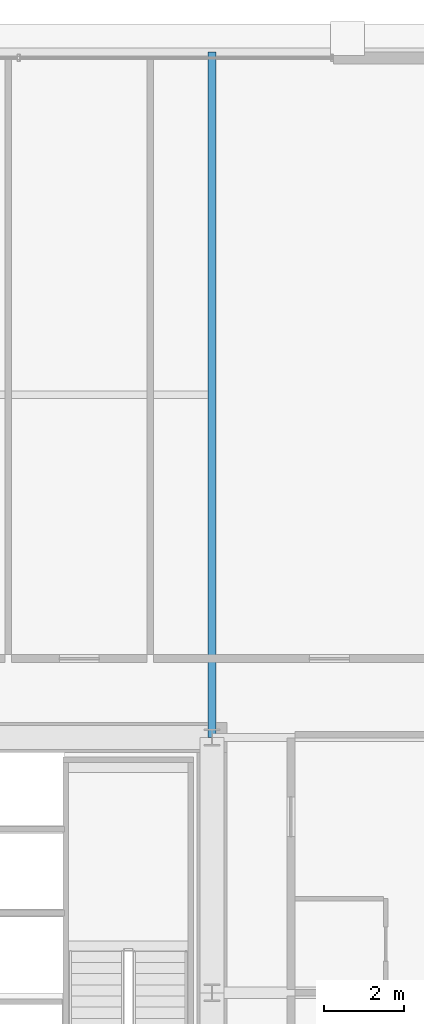
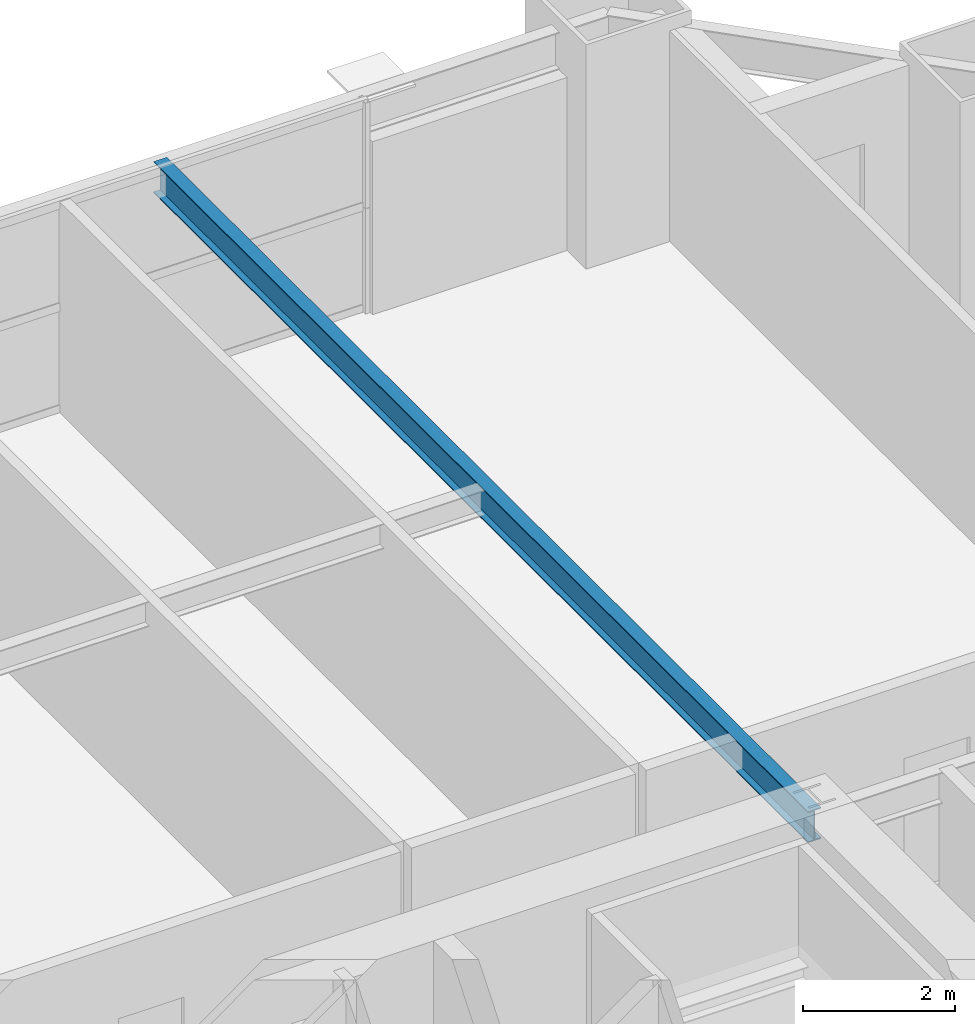
# One storey, part 27 of 38: 1 beam.
"""IFC4 building model written with IfcOpenShell, lengths in metres."""

from ifc_helpers import new_model, si_unit, direction, frame, origin, origin_2d, place, context, subcontext, project, spatial, i_section, extrude, source, transform, mapped, material, material_profile, profile_set, type_object, element, save


model = new_model("IFC4")

# Units and contexts
model_context = context("Model", 3, precision=1e-05, world=origin(), true_north=direction((0.0, 1.0)))
body_context = subcontext(model_context, "Body", "Model", "MODEL_VIEW")
ifc_project = project(units=[si_unit("LENGTHUNIT", "METRE"), si_unit("AREAUNIT", "SQUARE_METRE"), si_unit("VOLUMEUNIT", "CUBIC_METRE"), si_unit("PLANEANGLEUNIT", "RADIAN"), si_unit("MASSUNIT", "GRAM", prefix="KILO"), si_unit("THERMODYNAMICTEMPERATUREUNIT", "KELVIN"), si_unit("POWERUNIT", "WATT")], contexts=[model_context])

# Site, building, storey
site_placement = place(None, origin())
site = spatial("IfcSite", under=ifc_project, at=site_placement, CompositionType="ELEMENT")
building_placement = place(site_placement, origin())
building = spatial("IfcBuilding", under=site, at=building_placement, Name="Yuzanri Waterfront Tower", CompositionType="ELEMENT")
storey_placement = place(building_placement, frame((0.0, 0.0, 119.0)))
storey = spatial("IfcBuildingStorey", under=building, at=storey_placement, Name="L31", CompositionType="ELEMENT", Elevation=119.0)

# Beam
ifc_material = material(Name="Steel Q355B", Category="steel")
ifc_material_profile = material_profile(ifc_material, i_section(OverallWidth=0.199951171875, OverallDepth=0.5, WebThickness=0.010009765625, FlangeThickness=0.01611328125, at=origin_2d()), Name="HN 500x200x10x16")
ifc_profile_set = profile_set([ifc_material_profile], Name="Steel Q355B")
beam_type = type_object("IfcBeamType", Name="Secondary Floor Beam Q355B HN 500x200", PredefinedType="BEAM", material=ifc_profile_set)
shared_shape = source(origin(), body_context, "Body", "SweptSolid", [
    extrude(i_section(OverallWidth=0.199951171875, OverallDepth=0.5, WebThickness=0.010009765625, FlangeThickness=0.01611328125, at=origin_2d()), origin(), (0.0, 0.0, 1.0), 17.199951171875),
])
beam_placement = place(storey_placement, frame((50.199951171875, 32.199951171875, 3.1298828125), z_axis=(0.0, 1.0, 0.0), x_axis=(-1.0, 0.0, 0.0)))
element("IfcBeam", 1, at=beam_placement, inside=storey, type_object=beam_type, Name="L31 North-East Core Line Beam", PredefinedType="BEAM", context=body_context, shape_type="MappedRepresentation", body=[
    mapped(shared_shape, transform((0.0, 0.0, 0.0), scale=1.0)),
])

save(model, "model.ifc")
